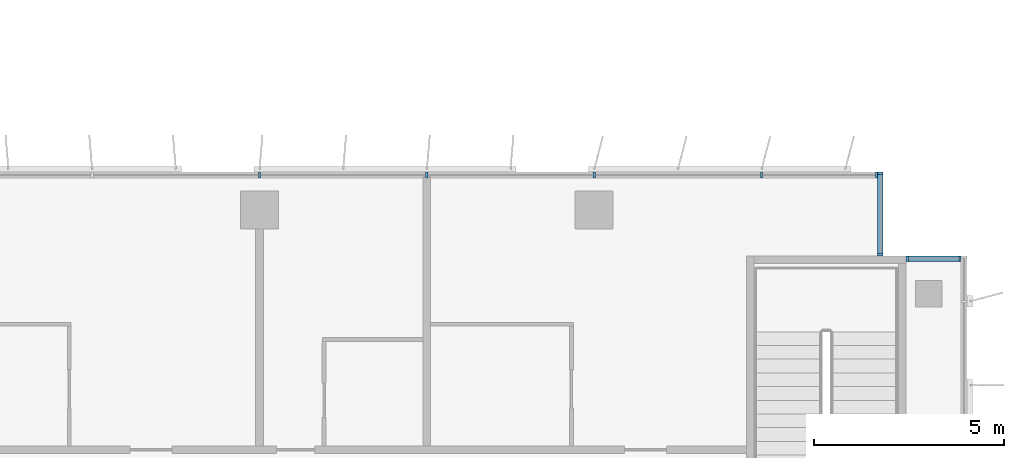
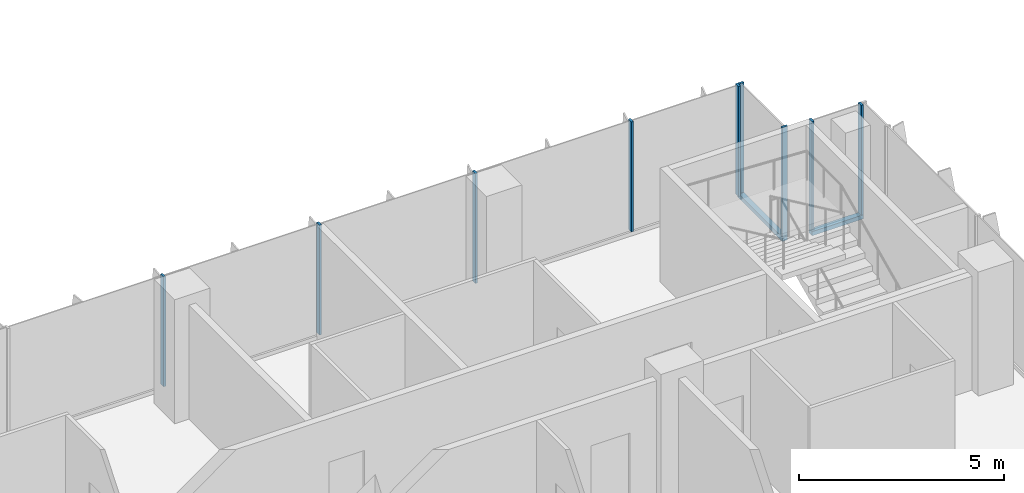
# One storey, part 4 of 21: 11 members, 3 elements without a shape of their own.
"""IFC4 building model written with IfcOpenShell, lengths in metres."""

from ifc_helpers import new_model, si_unit, direction, frame, origin, origin_2d, place, context, subcontext, project, spatial, rectangle, extrude, source, transform, mapped, material, material_profile, profile_set, type_object, element, aggregate, save


model = new_model("IFC4")

# Units and contexts
model_context = context("Model", 3, precision=1e-05, world=origin(), true_north=direction((0.0, 1.0)))
body_context = subcontext(model_context, "Body", "Model", "MODEL_VIEW")
ifc_project = project(units=[si_unit("LENGTHUNIT", "METRE"), si_unit("AREAUNIT", "SQUARE_METRE"), si_unit("VOLUMEUNIT", "CUBIC_METRE"), si_unit("PLANEANGLEUNIT", "RADIAN"), si_unit("MASSUNIT", "GRAM", prefix="KILO")], contexts=[model_context])

# Site, building, storey
site_placement = place(None, origin())
site = spatial("IfcSite", under=ifc_project, at=site_placement, CompositionType="ELEMENT")
building_placement = place(site_placement, origin())
building = spatial("IfcBuilding", under=site, at=building_placement, Name="Kemantara Hotel Tower", CompositionType="ELEMENT")
storey_placement = place(building_placement, frame((0.0, 0.0, 164.199951171875)))
storey = spatial("IfcBuildingStorey", under=building, at=storey_placement, Name="L40", CompositionType="ELEMENT", Elevation=164.199951171875)

# Curtain wall, member
ifc_material_1 = material(Name="Low-E tinted double insulated glass 36 mm", Category="glass")
curtain_wall_type = type_object("IfcCurtainWallType", Name="TOWER CURTAIN WALL, FRONT FACES", PredefinedType="USERDEFINED", material=ifc_material_1)
curtain_wall_1_placement = place(storey_placement, origin())
curtain_wall_1 = element("IfcCurtainWall", 1, at=curtain_wall_1_placement, inside=storey, type_object=curtain_wall_type, Name="CW4 L40 T3-R12-1", ObjectType="TOWER CURTAIN WALL, FRONT FACES", PredefinedType="USERDEFINED")
ifc_material_2 = material(Name="Aluminium 6063-T6 bronze anodised", Category="aluminium")
ifc_material_profile_1 = material_profile(ifc_material_2, rectangle(XDim=0.14990234375, YDim=0.1201171875, at=origin_2d()), Name="TOWER CURTAIN WALL, FRONT FACES TRANSOM")
ifc_profile_set_1 = profile_set([ifc_material_profile_1], Name="Aluminium 6063-T6 bronze anodised")
member_type_1 = type_object("IfcMemberType", Name="TOWER CURTAIN WALL, FRONT FACES TRANSOM", PredefinedType="USERDEFINED", material=ifc_profile_set_1)
member_1_placement = place(storey_placement, frame((63.449951171875, 19.72509765625, 0.06005859375), z_axis=(-1.0, 0.0, 0.0), x_axis=(0.0, -1.0, 0.0)))
member_1 = element("IfcMember", 2, at=member_1_placement, type_object=member_type_1, Name="CW4 sill transom T3-R12-1", ObjectType="TRANSOM", PredefinedType="USERDEFINED", context=body_context, shape_type="SweptSolid", body=[
    extrude(rectangle(XDim=0.14990234375, YDim=0.1201171875, at=origin_2d()), origin(), (0.0, 0.0, 1.0), 1.449951171875),
])

curtain_wall_2_placement = place(storey_placement, origin())
curtain_wall_2 = element("IfcCurtainWall", 3, at=curtain_wall_2_placement, inside=storey, type_object=curtain_wall_type, Name="CW4 L40 T3-R13-1", ObjectType="TOWER CURTAIN WALL, FRONT FACES", PredefinedType="USERDEFINED")
member_2_placement = place(storey_placement, frame((61.324951171875, 19.800048828125, 0.06005859375), z_axis=(0.0, 1.0, 0.0), x_axis=(-1.0, 0.0, 0.0)))
member_2 = element("IfcMember", 4, at=member_2_placement, type_object=member_type_1, Name="CW4 sill transom T3-R13-1", ObjectType="TRANSOM", PredefinedType="USERDEFINED", context=body_context, shape_type="SweptSolid", body=[
    extrude(rectangle(XDim=0.14990234375, YDim=0.1201171875, at=origin_2d()), origin(), (0.0, 0.0, 1.0), 2.199951171875),
])

# Curtain wall, members
curtain_wall_3_placement = place(storey_placement, origin())
curtain_wall_3 = element("IfcCurtainWall", 5, at=curtain_wall_3_placement, inside=storey, type_object=curtain_wall_type, Name="CW4 L40 T3-R14-1", ObjectType="TOWER CURTAIN WALL, FRONT FACES", PredefinedType="USERDEFINED")
ifc_material_profile_2 = material_profile(ifc_material_2, rectangle(XDim=0.14990234375, YDim=0.06005859375, at=origin_2d()), Name="TOWER CURTAIN WALL, FRONT FACES MULLION")
ifc_profile_set_2 = profile_set([ifc_material_profile_2], Name="Aluminium 6063-T6 bronze anodised")
member_type_2 = type_object("IfcMemberType", Name="TOWER CURTAIN WALL, FRONT FACES MULLION", PredefinedType="MULLION", material=ifc_profile_set_2)
shared_shape = source(origin(), body_context, "Body", "SweptSolid", [
    extrude(rectangle(XDim=0.14990234375, YDim=0.06005859375, at=origin_2d()), origin(), (0.0, 0.0, 1.0), 3.280029296875),
])
member_3_placement = place(storey_placement, frame((61.219970703125, 21.925048828125, 0.1201171875), z_axis=(0.0, 0.0, 1.0), x_axis=(0.0, -1.0, 0.0)))
member_3 = element("IfcMember", 6, at=member_3_placement, type_object=member_type_2, Name="CW4 mullion T3-R14-1.1", PredefinedType="MULLION", context=body_context, shape_type="MappedRepresentation", body=[
    mapped(shared_shape, transform((0.0, 0.0, 0.0))),
])
member_4_placement = place(storey_placement, frame((58.199951171875, 21.925048828125, 0.1201171875), z_axis=(0.0, 0.0, 1.0), x_axis=(0.0, -1.0, 0.0)))
member_4 = element("IfcMember", 7, at=member_4_placement, type_object=member_type_2, Name="CW4 mullion T3-R14-1.2", PredefinedType="MULLION", context=body_context, shape_type="MappedRepresentation", body=[
    mapped(shared_shape, transform((0.0, 0.0, 0.0))),
])
member_5_placement = place(storey_placement, frame((53.800048828125, 21.925048828125, 0.1201171875), z_axis=(0.0, 0.0, 1.0), x_axis=(0.0, -1.0, 0.0)))
member_5 = element("IfcMember", 8, at=member_5_placement, type_object=member_type_2, Name="CW4 mullion T3-R14-1.3", PredefinedType="MULLION", context=body_context, shape_type="MappedRepresentation", body=[
    mapped(shared_shape, transform((0.0, 0.0, 0.0))),
])
member_6_placement = place(storey_placement, frame((49.39990234375, 21.925048828125, 0.1201171875), z_axis=(0.0, 0.0, 1.0), x_axis=(0.0, -1.0, 0.0)))
member_6 = element("IfcMember", 9, at=member_6_placement, type_object=member_type_2, Name="CW4 mullion T3-R14-1.4", PredefinedType="MULLION", context=body_context, shape_type="MappedRepresentation", body=[
    mapped(shared_shape, transform((0.0, 0.0, 0.0))),
])
member_7_placement = place(storey_placement, frame((45.0, 21.925048828125, 0.1201171875), z_axis=(0.0, 0.0, 1.0), x_axis=(0.0, -1.0, 0.0)))
member_7 = element("IfcMember", 10, at=member_7_placement, type_object=member_type_2, Name="CW4 mullion T3-R14-1.5", PredefinedType="MULLION", context=body_context, shape_type="MappedRepresentation", body=[
    mapped(shared_shape, transform((0.0, 0.0, 0.0))),
])
aggregate(curtain_wall_3, [member_3, member_4, member_5, member_6, member_7])

# Member
member_8_placement = place(storey_placement, frame((63.419921875, 19.72509765625, 0.1201171875), z_axis=(0.0, 0.0, 1.0), x_axis=(0.0, -1.0, 0.0)))
member_8 = element("IfcMember", 11, at=member_8_placement, type_object=member_type_2, Name="CW4 mullion T3-R12-1.1", PredefinedType="MULLION", context=body_context, shape_type="MappedRepresentation", body=[
    mapped(shared_shape, transform((0.0, 0.0, 0.0))),
])

member_9_placement = place(storey_placement, frame((62.030029296875, 19.72509765625, 0.1201171875), z_axis=(0.0, 0.0, 1.0), x_axis=(0.0, -1.0, 0.0)))
member_9 = element("IfcMember", 12, at=member_9_placement, type_object=member_type_2, Name="CW4 mullion T3-R12-1.2", PredefinedType="MULLION", context=body_context, shape_type="MappedRepresentation", body=[
    mapped(shared_shape, transform((0.0, 0.0, 0.0))),
])

aggregate(curtain_wall_1, [member_1, member_8, member_9])

member_10_placement = place(storey_placement, frame((61.324951171875, 19.830078125, 0.1201171875), z_axis=(0.0, 0.0, 1.0), x_axis=(-1.0, 0.0, 0.0)))
member_10 = element("IfcMember", 13, at=member_10_placement, type_object=member_type_2, Name="CW4 mullion T3-R13-1.1", PredefinedType="MULLION", context=body_context, shape_type="MappedRepresentation", body=[
    mapped(shared_shape, transform((0.0, 0.0, 0.0))),
])

member_11_placement = place(storey_placement, frame((61.324951171875, 21.969970703125, 0.1201171875), z_axis=(0.0, 0.0, 1.0), x_axis=(-1.0, 0.0, 0.0)))
member_11 = element("IfcMember", 14, at=member_11_placement, type_object=member_type_2, Name="CW4 mullion T3-R13-1.2", PredefinedType="MULLION", context=body_context, shape_type="MappedRepresentation", body=[
    mapped(shared_shape, transform((0.0, 0.0, 0.0))),
])

aggregate(curtain_wall_2, [member_2, member_10, member_11])

save(model, "model.ifc")
